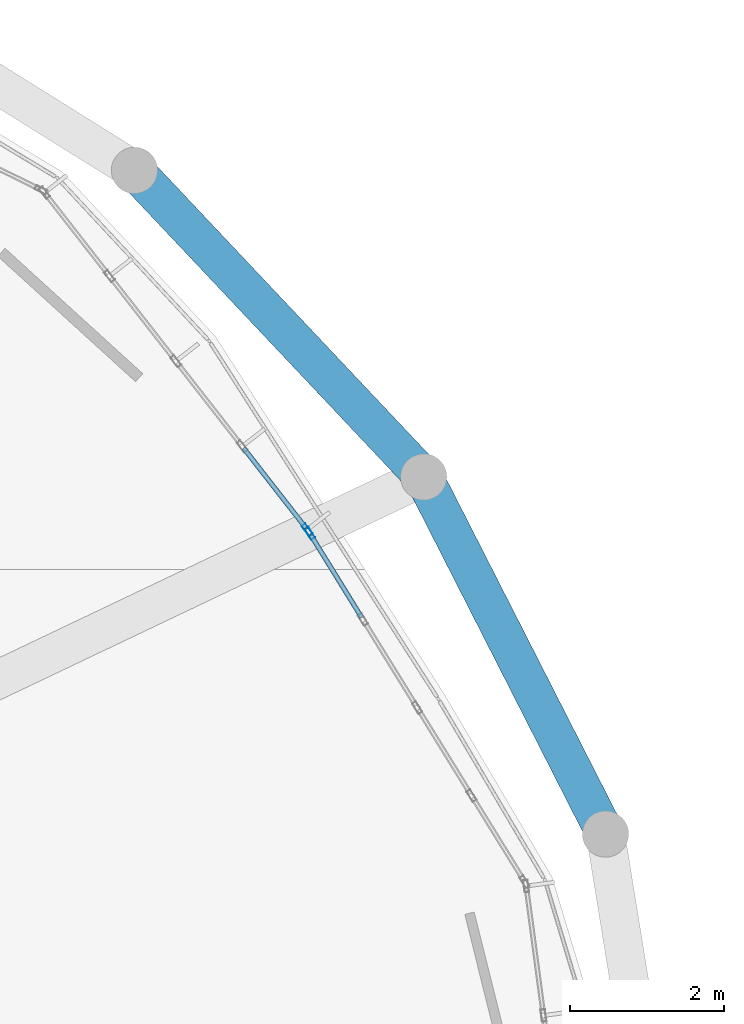
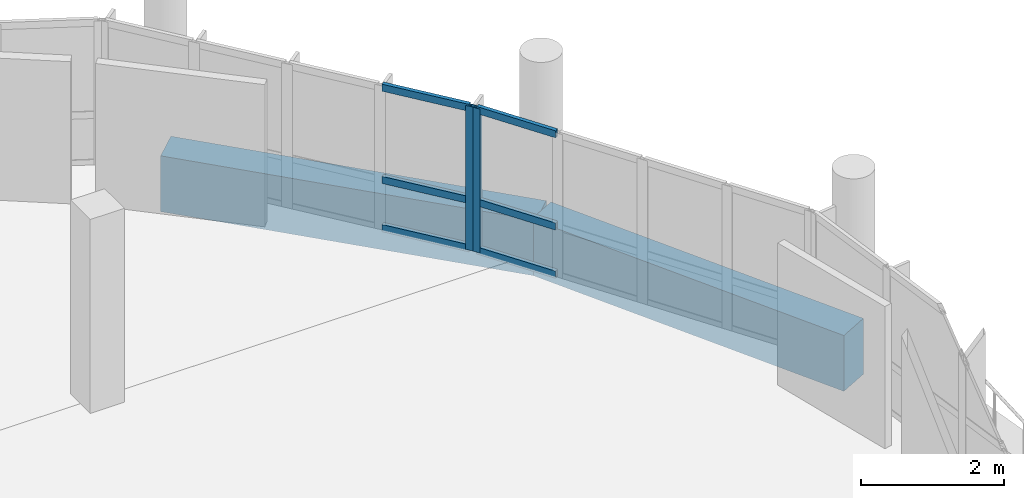
# One storey, part 24 of 43: 8 members, 2 beams, 2 elements without a shape of their own.
"""IFC4 building model written with IfcOpenShell, lengths in metres."""

from ifc_helpers import new_model, si_unit, derived_unit, direction, frame, origin, origin_2d, place, context, subcontext, project, spatial, rectangle, hollow_rectangle, extrude, material, layer, layer_set, material_profile, profile_set, type_object, element, aggregate, save


model = new_model("IFC4")

# Units and contexts
model_context = context("Model", 3, precision=1e-05, world=origin(), true_north=direction((0.0, 1.0)))
body_context = subcontext(model_context, "Body", "Model", "MODEL_VIEW")
ifc_project = project(units=[si_unit("LENGTHUNIT", "METRE"), si_unit("AREAUNIT", "SQUARE_METRE"), si_unit("VOLUMEUNIT", "CUBIC_METRE"), si_unit("PLANEANGLEUNIT", "RADIAN"), si_unit("MASSUNIT", "GRAM", prefix="KILO"), derived_unit("THERMALTRANSMITTANCEUNIT", [(si_unit("POWERUNIT", "WATT"), 1), (si_unit("LENGTHUNIT", "METRE"), -2), (si_unit("THERMODYNAMICTEMPERATUREUNIT", "KELVIN"), -1)])], contexts=[model_context])

# Site, building, storey
site_placement = place(None, origin())
site = spatial("IfcSite", under=ifc_project, at=site_placement, CompositionType="ELEMENT")
building_placement = place(site_placement, origin())
building = spatial("IfcBuilding", under=site, at=building_placement, Name="Elbkamm Science Centre", CompositionType="ELEMENT")
storey_placement = place(building_placement, frame((0.0, 0.0, 18.300048828125)))
storey = spatial("IfcBuildingStorey", under=building, at=storey_placement, Name="L04", CompositionType="ELEMENT", Elevation=18.300048828125)

# Beams
ifc_material_1 = material(Name="Concrete C40/50", Category="concrete")
ifc_material_profile_1 = material_profile(ifc_material_1, rectangle(XDim=0.5, YDim=0.949951171875, at=origin_2d()), Name="RC 500x950")
ifc_profile_set_1 = profile_set([ifc_material_profile_1], Name="Concrete C40/50")
beam_type = type_object("IfcBeamType", Name="BM-RC-500x950", PredefinedType="BEAM", material=ifc_profile_set_1)
beam_1_placement = place(storey_placement, frame((85.7958984375, 72.1689453125, -0.755126953125), z_axis=(-0.453722384609, 0.891143084866, 0.0), x_axis=(-0.891143084866, -0.453722384609, 0.0)))
element("IfcBeam", 1, at=beam_1_placement, inside=storey, type_object=beam_type, Name="L04 Elliptical Shell Perimeter Ring Beam 02", PredefinedType="SPANDREL", context=body_context, shape_type="SweptSolid", body=[
    extrude(rectangle(XDim=0.5, YDim=0.949951171875, at=origin_2d()), origin(), (0.0, 0.0, 1.0), 5.19677734375),
])
beam_2_placement = place(storey_placement, frame((83.43798828125, 76.800048828125, -0.755126953125), z_axis=(-0.686144611421, 0.727465169075, 0.0), x_axis=(-0.727465169075, -0.686144611421, 0.0)))
element("IfcBeam", 2, at=beam_2_placement, inside=storey, type_object=beam_type, Name="L04 Elliptical Shell Perimeter Ring Beam 03", PredefinedType="SPANDREL", context=body_context, shape_type="SweptSolid", body=[
    extrude(rectangle(XDim=0.5, YDim=0.949951171875, at=origin_2d()), origin(), (0.0, 0.0, 1.0), 5.46533203125),
])

# Curtain wall, member
ifc_material_2 = material(Name="Powder-coated aluminium and triple low-E glazing", Category="aluminium")
ifc_layer_1 = layer(ifc_material_2, 0.159912109375)
ifc_layer_set_1 = layer_set([ifc_layer_1], Name="Powder-coated aluminium and triple low-E glazing")
curtain_wall_type_1 = type_object("IfcCurtainWallType", Name="CW-UNIT-5360x2460", PredefinedType="USERDEFINED", material=ifc_layer_set_1)
curtain_wall_1_placement = place(storey_placement, origin())
curtain_wall_1 = element("IfcCurtainWall", 3, at=curtain_wall_1_placement, inside=storey, type_object=curtain_wall_type_1, Name="L04 Unitised Curtain Wall 076", ObjectType="UNITISED CURTAIN WALL", PredefinedType="USERDEFINED")
ifc_material_3 = material(Name="Powder-coated aluminium EN AW-6060", Category="aluminium")
ifc_material_profile_2 = material_profile(ifc_material_3, hollow_rectangle(XDim=0.06005859375, YDim=0.159912109375, WallThickness=0.00390625, at=origin_2d()), Name="ALU M60x160")
ifc_profile_set_2 = profile_set([ifc_material_profile_2], Name="Powder-coated aluminium EN AW-6060")
member_type_1 = type_object("IfcMemberType", Name="CW-MUL-60x160", PredefinedType="MULLION", material=ifc_profile_set_2)
member_1_placement = place(storey_placement, frame((81.962158203125, 76.06787109375, 0.0), z_axis=(0.0, 0.0, 1.0), x_axis=(-0.85114742283, -0.524926723085, 0.0)))
member_1 = element("IfcMember", 4, at=member_1_placement, type_object=member_type_1, Name="CW-033 mullion 5", PredefinedType="MULLION", context=body_context, shape_type="SweptSolid", body=[
    extrude(hollow_rectangle(XDim=0.06005859375, YDim=0.159912109375, WallThickness=0.00390625, at=origin_2d()), origin(), (0.0, 0.0, 1.0), 2.449951171875),
])

ifc_layer_2 = layer(ifc_material_2, 0.159912109375)
ifc_layer_set_2 = layer_set([ifc_layer_2], Name="Powder-coated aluminium and triple low-E glazing")
curtain_wall_type_2 = type_object("IfcCurtainWallType", Name="CW-UNIT-5600x2460", PredefinedType="USERDEFINED", material=ifc_layer_set_2)
curtain_wall_2_placement = place(storey_placement, origin())
curtain_wall_2 = element("IfcCurtainWall", 5, at=curtain_wall_2_placement, inside=storey, type_object=curtain_wall_type_2, Name="L04 Unitised Curtain Wall 077", ObjectType="UNITISED CURTAIN WALL", PredefinedType="USERDEFINED")
member_2_placement = place(storey_placement, frame((81.927734375, 76.116943359375, 0.0), z_axis=(0.0, 0.0, 1.0), x_axis=(-0.788678605009, -0.614805707522, 0.0)))
member_2 = element("IfcMember", 6, at=member_2_placement, type_object=member_type_1, Name="CW-034 mullion 1", PredefinedType="MULLION", context=body_context, shape_type="SweptSolid", body=[
    extrude(hollow_rectangle(XDim=0.06005859375, YDim=0.159912109375, WallThickness=0.00390625, at=origin_2d()), origin(), (0.0, 0.0, 1.0), 2.449951171875),
])

# Member
ifc_material_profile_3 = material_profile(ifc_material_3, hollow_rectangle(XDim=0.06005859375, YDim=0.1201171875, WallThickness=0.00341796875, at=origin_2d()), Name="ALU T60x120")
ifc_profile_set_3 = profile_set([ifc_material_profile_3], Name="Powder-coated aluminium EN AW-6060")
member_type_2 = type_object("IfcMemberType", Name="CW-TRN-60x120", PredefinedType="USERDEFINED", material=ifc_profile_set_3)
member_3_placement = place(storey_placement, frame((82.635009765625, 74.976806640625, 0.030029296875), z_axis=(-0.525011153283, 0.851095346555, 0.0), x_axis=(-0.851095346555, -0.525011153283, 0.0)))
member_3 = element("IfcMember", 7, at=member_3_placement, type_object=member_type_2, Name="CW-033 transom 4.1", ObjectType="TRANSOM", PredefinedType="USERDEFINED", context=body_context, shape_type="SweptSolid", body=[
    extrude(hollow_rectangle(XDim=0.06005859375, YDim=0.1201171875, WallThickness=0.00341796875, at=origin_2d()), origin(), (0.0, 0.0, 1.0), 1.251953125),
])

member_4_placement = place(storey_placement, frame((82.635009765625, 74.976806640625, 0.849853515625), z_axis=(-0.525011153283, 0.851095346555, 0.0), x_axis=(-0.851095346555, -0.525011153283, 0.0)))
member_4 = element("IfcMember", 8, at=member_4_placement, type_object=member_type_2, Name="CW-033 transom 4.2", ObjectType="TRANSOM", PredefinedType="USERDEFINED", context=body_context, shape_type="SweptSolid", body=[
    extrude(hollow_rectangle(XDim=0.06005859375, YDim=0.1201171875, WallThickness=0.00341796875, at=origin_2d()), origin(), (0.0, 0.0, 1.0), 1.251953125),
])

member_5_placement = place(storey_placement, frame((82.635009765625, 74.976806640625, 2.419921875), z_axis=(-0.525011153283, 0.851095346555, 0.0), x_axis=(-0.851095346555, -0.525011153283, 0.0)))
member_5 = element("IfcMember", 9, at=member_5_placement, type_object=member_type_2, Name="CW-033 transom 4.3", ObjectType="TRANSOM", PredefinedType="USERDEFINED", context=body_context, shape_type="SweptSolid", body=[
    extrude(hollow_rectangle(XDim=0.06005859375, YDim=0.1201171875, WallThickness=0.00341796875, at=origin_2d()), origin(), (0.0, 0.0, 1.0), 1.251953125),
])

aggregate(curtain_wall_1, [member_1, member_3, member_4, member_5])

member_6_placement = place(storey_placement, frame((81.909423828125, 76.140625, 0.030029296875), z_axis=(-0.614804673333, 0.788679411198, 0.0), x_axis=(-0.788679411198, -0.614804673333, 0.0)))
member_6 = element("IfcMember", 10, at=member_6_placement, type_object=member_type_2, Name="CW-034 transom 1.1", ObjectType="TRANSOM", PredefinedType="USERDEFINED", context=body_context, shape_type="SweptSolid", body=[
    extrude(hollow_rectangle(XDim=0.06005859375, YDim=0.1201171875, WallThickness=0.00341796875, at=origin_2d()), origin(), (0.0, 0.0, 1.0), 1.31005859375),
])

member_7_placement = place(storey_placement, frame((81.909423828125, 76.140625, 0.849853515625), z_axis=(-0.614804673333, 0.788679411198, 0.0), x_axis=(-0.788679411198, -0.614804673333, 0.0)))
member_7 = element("IfcMember", 11, at=member_7_placement, type_object=member_type_2, Name="CW-034 transom 1.2", ObjectType="TRANSOM", PredefinedType="USERDEFINED", context=body_context, shape_type="SweptSolid", body=[
    extrude(hollow_rectangle(XDim=0.06005859375, YDim=0.1201171875, WallThickness=0.00341796875, at=origin_2d()), origin(), (0.0, 0.0, 1.0), 1.31005859375),
])

member_8_placement = place(storey_placement, frame((81.909423828125, 76.140625, 2.419921875), z_axis=(-0.614804673333, 0.788679411198, 0.0), x_axis=(-0.788679411198, -0.614804673333, 0.0)))
member_8 = element("IfcMember", 12, at=member_8_placement, type_object=member_type_2, Name="CW-034 transom 1.3", ObjectType="TRANSOM", PredefinedType="USERDEFINED", context=body_context, shape_type="SweptSolid", body=[
    extrude(hollow_rectangle(XDim=0.06005859375, YDim=0.1201171875, WallThickness=0.00341796875, at=origin_2d()), origin(), (0.0, 0.0, 1.0), 1.31005859375),
])

aggregate(curtain_wall_2, [member_2, member_6, member_7, member_8])

save(model, "model.ifc")
